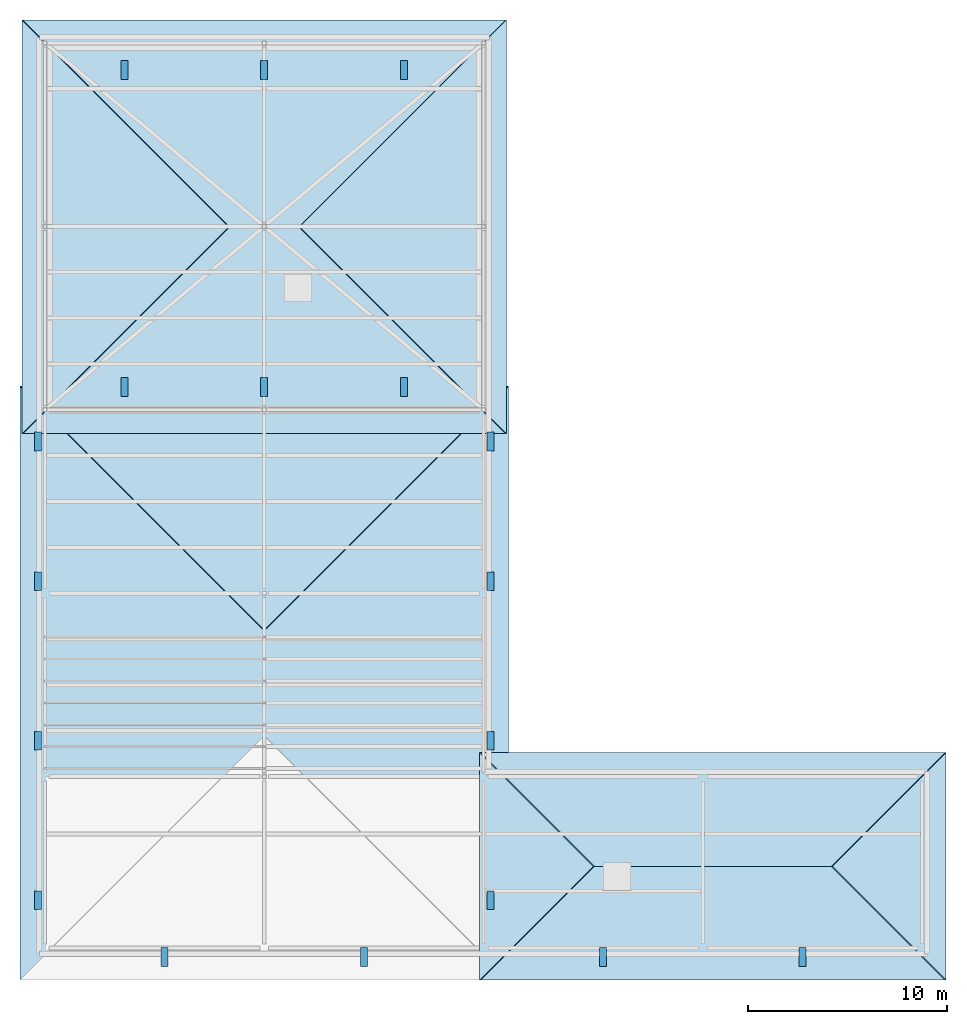
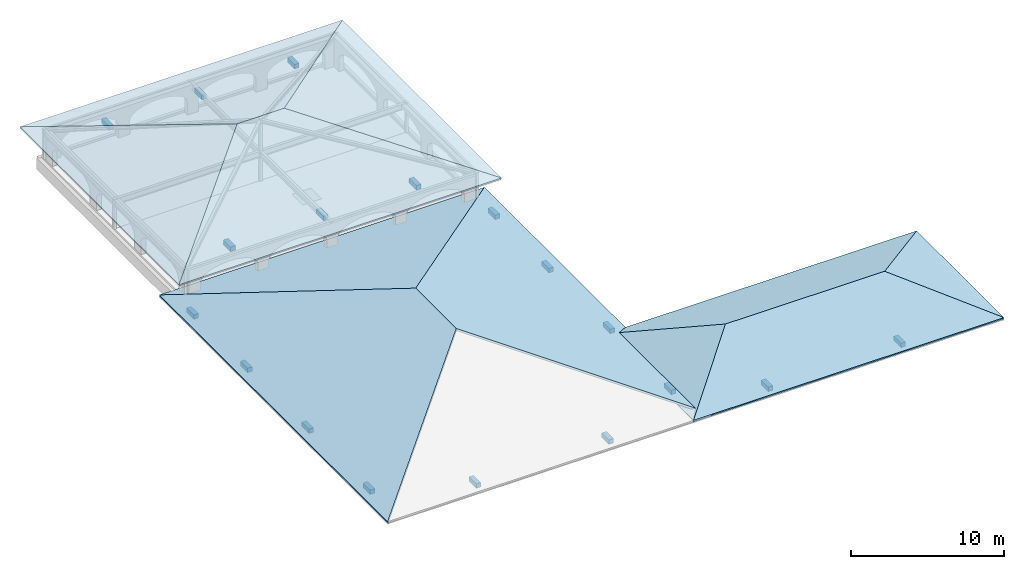
# One storey, part 4 of 5: 18 discrete accessories, 11 roofs.
"""IFC4 building model written with IfcOpenShell, lengths in metres."""

from ifc_helpers import new_model, si_unit, direction, frame, origin, origin_2d, place, context, subcontext, project, spatial, polyline, rectangle, outline, extrude, material, layer, layer_set, type_object, element, save


model = new_model("IFC4")

# Units and contexts
model_context = context("Model", 3, precision=1e-05, world=origin(), true_north=direction((0.0, 1.0)))
body_context = subcontext(model_context, "Body", "Model", "MODEL_VIEW")
ifc_project = project(units=[si_unit("LENGTHUNIT", "METRE"), si_unit("AREAUNIT", "SQUARE_METRE"), si_unit("VOLUMEUNIT", "CUBIC_METRE"), si_unit("PLANEANGLEUNIT", "RADIAN"), si_unit("MASSUNIT", "GRAM", prefix="KILO")], contexts=[model_context])

# Site, building, storey
site_placement = place(None, origin())
site = spatial("IfcSite", under=ifc_project, at=site_placement, CompositionType="ELEMENT")
building_placement = place(site_placement, origin())
building = spatial("IfcBuilding", under=site, at=building_placement, Name="Caurita Quay Ferry Terminal", CompositionType="ELEMENT")
storey_placement = place(building_placement, frame((0.0, 0.0, 22.5)))
storey = spatial("IfcBuildingStorey", under=building, at=storey_placement, Name="RF", CompositionType="ELEMENT", Elevation=22.5)

# Roofs
ifc_material_1 = material(Name="Terracotta clay barrel tile", Category="masonry")
ifc_layer = layer(ifc_material_1, 0.219970703125, Name="Spanish Colonial Revival pitched terracotta barrel-tile hipped roof")
ifc_layer_set = layer_set([ifc_layer], Name="Terracotta clay barrel tile")
roof_type = type_object("IfcRoofType", Name="ROOF-TEJA-HIP", PredefinedType="HIP_ROOF", material=ifc_layer_set)
for number, where, z_axis, x_axis, name in (
    (1, (-1.14990234375, 97.39990234375, 2.25), (0.0, -0.269191096146, 0.963086784125), (1.0, 0.0, 0.0), "Spanish Colonial Terracotta Hipped Roof MIRADOR-S"),
    (2, (23.14990234375, 118.14990234375, 2.25), (0.0, 0.269191096146, 0.963086784125), (-1.0, 0.0, 0.0), "Spanish Colonial Terracotta Hipped Roof MIRADOR-N"),
):
    element("IfcRoof", number, at=place(storey_placement, frame(where, z_axis=z_axis, x_axis=x_axis)), inside=storey, type_object=roof_type, Name=name, PredefinedType="HIP_ROOF", context=body_context, shape_type="SweptSolid", body=[
        extrude(outline(polyline([(0.0, 0.0), (24.2998046875, 0.0), (13.9248046875, 10.772653275924494), (10.375, 10.772653275924494), (0.0, 0.0)])), origin(), (0.0, 0.0, -1.0), 0.159912109375),
    ])
for number, where, z_axis, x_axis, name in (
    (3, (-1.14990234375, 118.14990234375, 2.25), (-0.269191096146, 0.0, 0.963086784125), (0.0, -1.0, 0.0), "Spanish Colonial Terracotta Hipped Roof MIRADOR-W"),
    (4, (23.14990234375, 97.39990234375, 2.25), (0.269191096146, 0.0, 0.963086784125), (0.0, 1.0, 0.0), "Spanish Colonial Terracotta Hipped Roof MIRADOR-E"),
):
    element("IfcRoof", number, at=place(storey_placement, frame(where, z_axis=z_axis, x_axis=x_axis)), inside=storey, type_object=roof_type, Name=name, PredefinedType="HIP_ROOF", context=body_context, shape_type="SweptSolid", body=[
        extrude(outline(polyline([(0.0, 0.0), (20.75, 0.0), (10.375, 10.772653275924494), (0.0, 0.0)])), origin(), (0.0, 0.0, -1.0), 0.159912109375),
    ])
for number, where, z_axis, x_axis, name in (
    (5, (-1.25, 99.800048828125, 0.02001953125), (-0.287701592342, 0.0, 0.957720101994), (0.0, -1.0, 0.0), "Spanish Colonial Terracotta Hipped Roof V5-WEST-W"),
    (6, (23.25, 70.0, 0.02001953125), (0.287701592342, 0.0, 0.957720101994), (0.0, 1.0, 0.0), "Spanish Colonial Terracotta Hipped Roof V5-WEST-E"),
):
    element("IfcRoof", number, at=place(storey_placement, frame(where, z_axis=z_axis, x_axis=x_axis)), inside=storey, type_object=roof_type, Name=name, PredefinedType="HIP_ROOF", context=body_context, shape_type="SweptSolid", body=[
        extrude(outline(polyline([(0.0, 0.0), (29.800048828125, 0.0), (17.550048828125, 12.79079344214709), (12.25, 12.79079344214709), (0.0, 0.0)])), origin(), (0.0, 0.0, -1.0), 0.159912109375),
    ])
roof_placement = place(storey_placement, frame((23.25, 99.800048828125, 0.02001953125), z_axis=(0.0, 0.287701592342, 0.957720101994), x_axis=(-1.0, 0.0, 0.0)))
element("IfcRoof", 7, at=roof_placement, inside=storey, type_object=roof_type, Name="Spanish Colonial Terracotta Hipped Roof V5-WEST-N", PredefinedType="HIP_ROOF", context=body_context, shape_type="SweptSolid", body=[
    extrude(outline(polyline([(0.0, 0.0), (24.5, 0.0), (12.25, 12.79079344214709), (0.0, 0.0)])), origin(), (0.0, 0.0, -1.0), 0.159912109375),
])
for number, where, z_axis, x_axis, name in (
    (8, (21.800048828125, 70.0, 0.02001953125), (0.0, -0.36433768474, 0.931266906681), (1.0, 0.0, 0.0), "Spanish Colonial Terracotta Hipped Roof V5-STH-S"),
    (9, (45.199951171875, 81.39990234375, 0.02001953125), (0.0, 0.36433768474, 0.931266906681), (-1.0, 0.0, 0.0), "Spanish Colonial Terracotta Hipped Roof V5-STH-N"),
):
    element("IfcRoof", number, at=place(storey_placement, frame(where, z_axis=z_axis, x_axis=x_axis)), inside=storey, type_object=roof_type, Name=name, PredefinedType="HIP_ROOF", context=body_context, shape_type="SweptSolid", body=[
        extrude(outline(polyline([(0.0, 0.0), (23.39990234375, 0.0), (17.699951171875, 6.120641817061806), (5.699951171875, 6.120641817061806), (0.0, 0.0)])), origin(), (0.0, 0.0, -1.0), 0.159912109375),
    ])
for number, where, z_axis, x_axis, name in (
    (10, (21.800048828125, 81.39990234375, 0.02001953125), (-0.36433768474, 0.0, 0.931266906681), (0.0, -1.0, 0.0), "Spanish Colonial Terracotta Hipped Roof V5-STH-W"),
    (11, (45.199951171875, 70.0, 0.02001953125), (0.36433768474, 0.0, 0.931266906681), (0.0, 1.0, 0.0), "Spanish Colonial Terracotta Hipped Roof V5-STH-E"),
):
    element("IfcRoof", number, at=place(storey_placement, frame(where, z_axis=z_axis, x_axis=x_axis)), inside=storey, type_object=roof_type, Name=name, PredefinedType="HIP_ROOF", context=body_context, shape_type="SweptSolid", body=[
        extrude(outline(polyline([(0.0, 0.0), (11.39990234375, 0.0), (5.699951171875, 6.120641817061807), (0.0, 0.0)])), origin(), (0.0, 0.0, -1.0), 0.159912109375),
    ])

# Discrete accessories
ifc_material_2 = material(Name="Structural plate steel ASTM A572 Gr. 50", Category="steel")
discrete_accessory_type = type_object("IfcDiscreteAccessoryType", Name="ACC-BRK-01", PredefinedType="BRACKET", material=ifc_material_2)
for number, where, z_axis, x_axis, name in (
    (12, (4.0, 115.64990234375, 2.0), (0.0, 0.0, 1.0), (1.0, 0.0, 0.0), "RF Terracotta Roof Eave Corbel 001"),
    (13, (11.0, 115.64990234375, 2.0), (0.0, 0.0, 1.0), (1.0, 0.0, 0.0), "RF Terracotta Roof Eave Corbel 002"),
    (14, (18.0, 115.64990234375, 2.0), (0.0, 0.0, 1.0), (1.0, 0.0, 0.0), "RF Terracotta Roof Eave Corbel 003"),
    (15, (4.0, 99.75, 2.0), (0.0, 0.0, 1.0), (1.0, 0.0, 0.0), "RF Terracotta Roof Eave Corbel 004"),
    (16, (11.0, 99.75, 2.0), (0.0, 0.0, 1.0), (1.0, 0.0, 0.0), "RF Terracotta Roof Eave Corbel 005"),
    (17, (18.0, 99.75, 2.0), (0.0, 0.0, 1.0), (1.0, 0.0, 0.0), "RF Terracotta Roof Eave Corbel 006"),
    (18, (-0.35009765625, 74.0, -0.22021484375), (0.0, 0.0, 1.0), (1.0, 0.0, 0.0), "RF Terracotta Roof Eave Corbel 007"),
    (19, (-0.35009765625, 82.0, -0.22021484375), (0.0, 0.0, 1.0), (1.0, 0.0, 0.0), "RF Terracotta Roof Eave Corbel 008"),
    (20, (-0.35009765625, 90.0, -0.22021484375), (0.0, 0.0, 1.0), (1.0, 0.0, 0.0), "RF Terracotta Roof Eave Corbel 009"),
    (21, (-0.35009765625, 97.0, -0.22021484375), (0.0, 0.0, 1.0), (1.0, 0.0, 0.0), "RF Terracotta Roof Eave Corbel 010"),
    (22, (22.35009765625, 74.0, -0.22021484375), (0.0, 0.0, 1.0), (1.0, 0.0, 0.0), "RF Terracotta Roof Eave Corbel 011"),
    (23, (22.35009765625, 82.0, -0.22021484375), (0.0, 0.0, 1.0), (1.0, 0.0, 0.0), "RF Terracotta Roof Eave Corbel 012"),
    (24, (22.35009765625, 90.0, -0.22021484375), (0.0, 0.0, 1.0), (1.0, 0.0, 0.0), "RF Terracotta Roof Eave Corbel 013"),
    (25, (22.35009765625, 97.0, -0.22021484375), (0.0, 0.0, 1.0), (1.0, 0.0, 0.0), "RF Terracotta Roof Eave Corbel 014"),
    (26, (6.0, 71.14990234375, -0.22021484375), (0.0, 0.0, 1.0), (1.0, 0.0, 0.0), "RF Terracotta Roof Eave Corbel 015"),
    (27, (16.0, 71.14990234375, -0.22021484375), (0.0, 0.0, 1.0), (1.0, 0.0, 0.0), "RF Terracotta Roof Eave Corbel 016"),
    (28, (28.0, 71.14990234375, -0.22021484375), (0.0, 0.0, 1.0), (1.0, 0.0, 0.0), "RF Terracotta Roof Eave Corbel 017"),
    (29, (38.0, 71.14990234375, -0.22021484375), (0.0, 0.0, 1.0), (1.0, 0.0, 0.0), "RF Terracotta Roof Eave Corbel 018"),
):
    element("IfcDiscreteAccessory", number, at=place(storey_placement, frame(where, z_axis=z_axis, x_axis=x_axis)), inside=storey, type_object=discrete_accessory_type, Name=name, PredefinedType="BRACKET", context=body_context, shape_type="SweptSolid", body=[
        extrude(rectangle(XDim=0.35009765625, YDim=0.949951171875, at=origin_2d()), origin(), (0.0, 0.0, 1.0), 0.360107421875),
    ])

save(model, "model.ifc")
